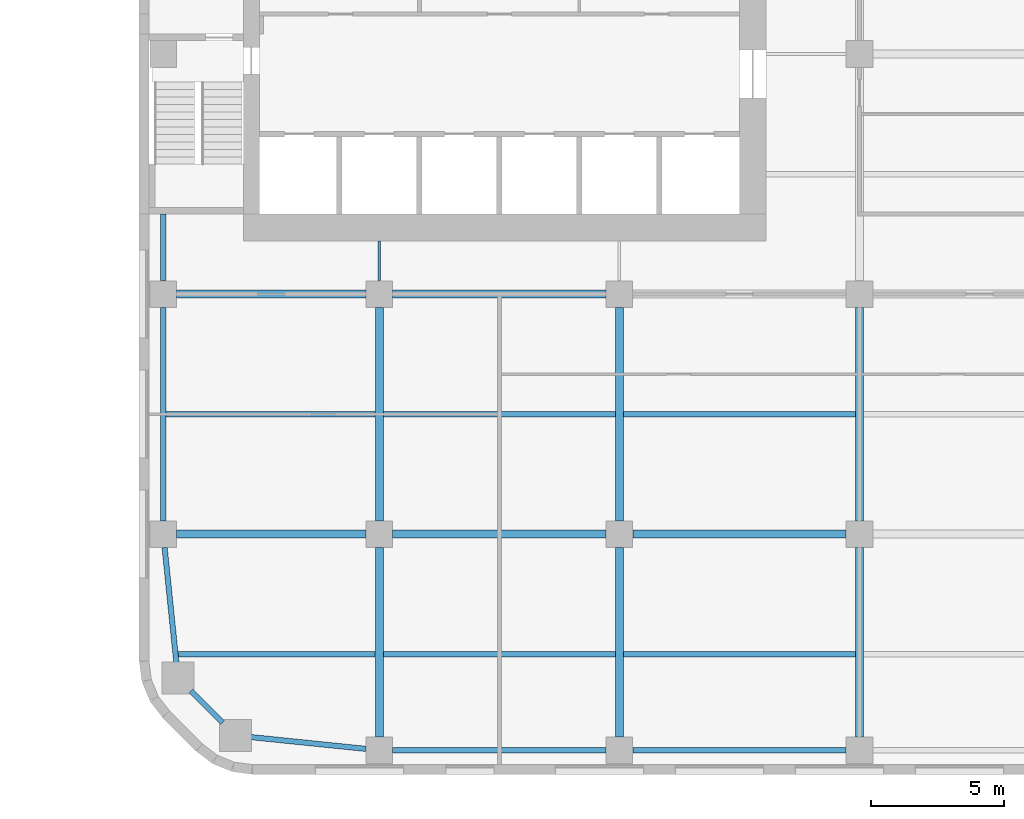
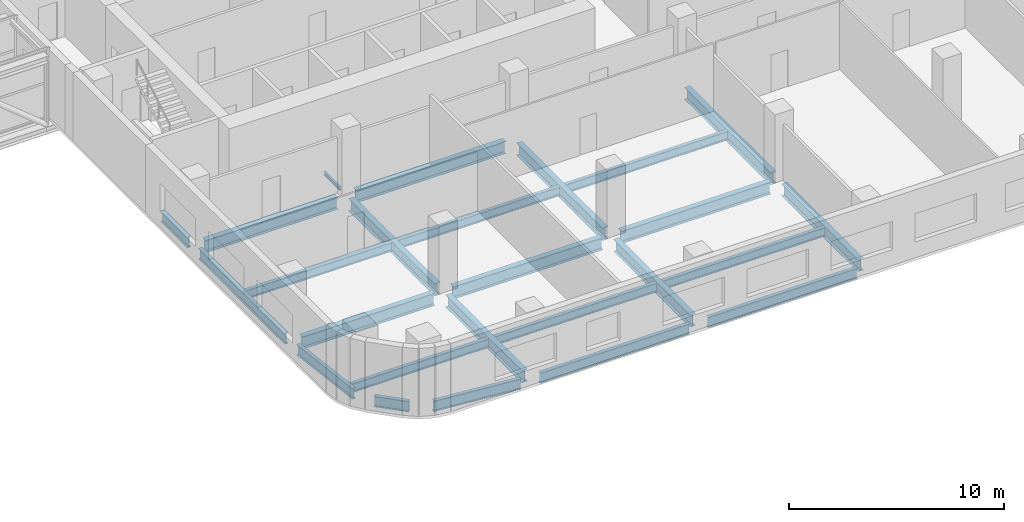
# One storey, part 9 of 24: 25 beams.
"""IFC4 building model written with IfcOpenShell, lengths in metres."""

import ifcopenshell
import ifcopenshell.guid

model = None  # the IFC model being written
_history = None  # IfcOwnerHistory: only IFC2X3 demands one
_inside = {}  # id of a spatial element -> (the spatial element, [elements in it])
_under = {}  # id of a project, library or spatial element -> (it, [spatial elements below it])
_declared = {}  # id of a project -> (the project, [libraries it declares])
_typed = {}  # id of a type object -> (the type object, [elements of that type])
_made_of = {}  # id of a material, layer set ... -> (it, [elements and type objects made of it])


def new_model(schema):
    """Start an empty IFC model of exactly this schema.

    Asked for "IFC4X3", IfcOpenShell would pick the latest addendum, in which some entities
    have other attributes; the version numbers below select the first issue.
    IFC2X3 requires an IfcOwnerHistory on every rooted entity: one is made here for all.
    """
    global model, _history
    if schema == "IFC4X3":
        model = ifcopenshell.file(schema_version=(4, 3, 0, 0))
    else:
        model = ifcopenshell.file(schema=schema)
    _inside.clear()
    _under.clear()
    _declared.clear()
    _typed.clear()
    _made_of.clear()
    _history = None
    if model.schema == "IFC2X3":
        org = make("IfcOrganization", Name="unknown")
        user = make(
            "IfcPersonAndOrganization",
            ThePerson=make("IfcPerson", FamilyName="unknown"),
            TheOrganization=org,
        )
        app = make(
            "IfcApplication",
            ApplicationDeveloper=org,
            Version="unknown",
            ApplicationFullName="unknown",
            ApplicationIdentifier="unknown",
        )
        _history = make(
            "IfcOwnerHistory",
            OwningUser=user,
            OwningApplication=app,
            ChangeAction="ADDED",
            CreationDate=0,
        )
    return model


def make(cls, **values):
    """One entity of the class cls with the attributes given. An attribute that is None is left unset."""
    return model.create_entity(
        cls, **{name: value for name, value in values.items() if value is not None}
    )


def rooted(cls, **values):
    """An entity with a GlobalId (a new one), such as an element, a storey or a relation."""
    return make(cls, GlobalId=ifcopenshell.guid.new(), OwnerHistory=_history, **values)


def si_unit(unit_type, name, prefix=None):
    """IfcSIUnit, for example si_unit("LENGTHUNIT", "METRE", prefix="MILLI")."""
    return make("IfcSIUnit", UnitType=unit_type, Prefix=prefix, Name=name)


def assignment(units):
    """IfcUnitAssignment: the units of a project."""
    return None if units is None else make("IfcUnitAssignment", Units=units)


def point(xyz):
    """IfcCartesianPoint."""
    return None if xyz is None else make("IfcCartesianPoint", Coordinates=xyz)


def direction(xyz):
    """IfcDirection."""
    return None if xyz is None else make("IfcDirection", DirectionRatios=xyz)


def frame(location, z_axis=None, x_axis=None):
    """IfcAxis2Placement3D, a coordinate frame: its origin and axes. An axis left out is left unset."""
    return make(
        "IfcAxis2Placement3D",
        Location=point(location),
        Axis=direction(z_axis),
        RefDirection=direction(x_axis),
    )


def frame_2d(location, x_axis=None):
    """IfcAxis2Placement2D, a coordinate frame in the plane: its origin and x axis."""
    return make(
        "IfcAxis2Placement2D", Location=point(location), RefDirection=direction(x_axis)
    )


def origin():
    """The frame at (0, 0, 0) with its axes left unset."""
    return frame((0.0, 0.0, 0.0))


def origin_2d():
    """The frame at (0, 0) in the plane with its x axis left unset."""
    return frame_2d((0.0, 0.0))


def place(relative_to, where):
    """IfcLocalPlacement: puts the frame where relative to a parent placement (None: the world)."""
    return make(
        "IfcLocalPlacement", PlacementRelTo=relative_to, RelativePlacement=where
    )


def context(
    kind, dimensions, precision=None, world=None, true_north=None, identifier=None
):
    """IfcGeometricRepresentationContext, for example the 3D "Model" context."""
    return make(
        "IfcGeometricRepresentationContext",
        ContextIdentifier=identifier,
        ContextType=kind,
        CoordinateSpaceDimension=dimensions,
        Precision=precision,
        WorldCoordinateSystem=world,
        TrueNorth=true_north,
    )


def subcontext(parent, identifier, kind, view, scale=None):
    """IfcGeometricRepresentationSubContext, for example "Body" below "Model"."""
    return make(
        "IfcGeometricRepresentationSubContext",
        ContextIdentifier=identifier,
        ContextType=kind,
        ParentContext=parent,
        TargetScale=scale,
        TargetView=view,
    )


def project(units=None, contexts=None):
    """IfcProject with its units and contexts."""
    return rooted(
        "IfcProject",
        Name="project",
        RepresentationContexts=contexts,
        UnitsInContext=assignment(units),
    )


def spatial(cls, under=None, at=None, **own):
    """A site, building, storey or space (cls), placed at a placement, below another one or the project."""
    s = rooted(cls, ObjectPlacement=at, **own)
    if under is not None:
        _under.setdefault(under.id(), (under, []))[1].append(s)
    return s


def profile(cls, at=None, kind="AREA", **sizes):
    """A parametric profile (cls). Its sizes go by their IFC names, for example OverallWidth=200.0."""
    return make(cls, ProfileType=kind, Position=at, **sizes)


def i_section(**sizes):
    """IfcIShapeProfileDef."""
    return profile("IfcIShapeProfileDef", **sizes)


def extrude(swept, where, along, depth):
    """IfcExtrudedAreaSolid: the profile swept, set in the frame where, extruded along a direction by depth."""
    return make(
        "IfcExtrudedAreaSolid",
        SweptArea=swept,
        Position=where,
        ExtrudedDirection=direction(along),
        Depth=depth,
    )


def shape(context_of_items, identifier, shape_type, items):
    """IfcShapeRepresentation: the items that make up one representation, for example the "Body"."""
    return make(
        "IfcShapeRepresentation",
        ContextOfItems=context_of_items,
        RepresentationIdentifier=identifier,
        RepresentationType=shape_type,
        Items=items,
    )


def material(Name=None, Category=None):
    """IfcMaterial."""
    return make("IfcMaterial", Name=Name, Category=Category)


def material_profile(
    of_material, cross_section, Name=None, Category=None, Priority=None
):
    """IfcMaterialProfile: a cross section and its material."""
    return make(
        "IfcMaterialProfile",
        Name=Name,
        Material=of_material,
        Profile=cross_section,
        Priority=Priority,
        Category=Category,
    )


def profile_set(profiles, Name=None, composite=None):
    """IfcMaterialProfileSet."""
    return make(
        "IfcMaterialProfileSet",
        Name=Name,
        MaterialProfiles=profiles,
        CompositeProfile=composite,
    )


def made_of(thing, what):
    """Note that an element or type object is made of a material, layer set ...; save() writes the relation."""
    if what is not None:
        _made_of.setdefault(what.id(), (what, []))[1].append(thing)
    return thing


def type_object(cls, material=None, **own):
    """A type object (cls), such as IfcWallType, which elements share."""
    return made_of(rooted(cls, **own), material)


def element(
    cls,
    number,
    at=None,
    inside=None,
    cuts=None,
    type_object=None,
    material=None,
    context=None,
    identifier="Body",
    shape_type=None,
    held_by="IfcProductDefinitionShape",
    body=None,
    shapes=None,
    **own,
):
    """One element of the class cls, such as IfcWall. Its Tag is "e" and its number.

    at: its placement. inside: the storey or other place that contains it. cuts: it is an
    opening in that element (IfcRelVoidsElement). A single representation is given by context,
    identifier, shape_type and body (its items); several are given by shapes. held_by: the class
    of the entity that holds the representations. save() writes the other relations.
    """
    e = rooted(cls, Tag="e%d" % number, ObjectPlacement=at, **own)
    if body is not None:
        shapes = [shape(context, identifier, shape_type, body)]
    if shapes is not None:
        e.Representation = make(held_by, Representations=shapes)
    if inside is not None:
        _inside.setdefault(inside.id(), (inside, []))[1].append(e)
    if cuts is not None:
        rooted(
            "IfcRelVoidsElement", RelatingBuildingElement=cuts, RelatedOpeningElement=e
        )
    if type_object is not None:
        _typed.setdefault(type_object.id(), (type_object, []))[1].append(e)
    return made_of(e, material)


def aggregate(whole, parts):
    """IfcRelAggregates: a whole, such as a stair, and the parts it consists of."""
    return rooted("IfcRelAggregates", RelatingObject=whole, RelatedObjects=parts)


def save(model, path):
    """Write the relations noted so far, then the file.

    IfcRelAggregates (storeys below a building ...), IfcRelContainedInSpatialStructure (elements
    in a storey), IfcRelDefinesByType, IfcRelAssociatesMaterial and IfcRelDeclares: one each for
    every whole, place, type object, material and project.
    """
    for whole, parts in _under.values():
        aggregate(whole, parts)
    for where, things in _inside.values():
        rooted(
            "IfcRelContainedInSpatialStructure",
            RelatedElements=things,
            RelatingStructure=where,
        )
    for kind, things in _typed.values():
        rooted("IfcRelDefinesByType", RelatedObjects=things, RelatingType=kind)
    for what, things in _made_of.values():
        rooted("IfcRelAssociatesMaterial", RelatedObjects=things, RelatingMaterial=what)
    for by, libraries in _declared.values():
        rooted("IfcRelDeclares", RelatingContext=by, RelatedDefinitions=libraries)
    model.write(path)


model = new_model("IFC4")

# Units and contexts
model_context = context("Model", 3, precision=1e-05, world=origin(), true_north=direction((0.0, 1.0)))
body_context = subcontext(model_context, "Body", "Model", "MODEL_VIEW")
ifc_project = project(units=[si_unit("LENGTHUNIT", "METRE"), si_unit("AREAUNIT", "SQUARE_METRE"), si_unit("VOLUMEUNIT", "CUBIC_METRE"), si_unit("PLANEANGLEUNIT", "RADIAN"), si_unit("MASSUNIT", "GRAM", prefix="KILO")], contexts=[model_context])

# Site, building, storey
site_placement = place(None, origin())
site = spatial("IfcSite", under=ifc_project, at=site_placement, CompositionType="ELEMENT")
building_placement = place(site_placement, origin())
building = spatial("IfcBuilding", under=site, at=building_placement, Name="Cinnabar Reach Civic Tower", CompositionType="ELEMENT")
storey_placement = place(building_placement, frame((0.0, 0.0, 71.0)))
storey = spatial("IfcBuildingStorey", under=building, at=storey_placement, Name="L16", CompositionType="ELEMENT", Elevation=71.0)

# Beams
ifc_material = material(Name="Steel Q355B", Category="steel")
ifc_material_profile_1 = material_profile(ifc_material, i_section(OverallWidth=0.099, OverallDepth=0.198, WebThickness=0.0045, FlangeThickness=0.007, FilletRadius=0.013, at=origin_2d()), Name="HN200x100x5.5x8")
ifc_profile_set_1 = profile_set([ifc_material_profile_1], Name="Steel Q355B")
beam_type_1 = type_object("IfcBeamType", Name="HN200x100x5.5x8 beam R 180", PredefinedType="BEAM", material=ifc_profile_set_1)
beam_1_placement = place(storey_placement, frame((9.0, 18.502, -0.249), z_axis=(0.0, 1.0, 0.0), x_axis=(-1.0, 0.0, 0.0)))
element("IfcBeam", 1, at=beam_1_placement, inside=storey, type_object=beam_type_1, Name="Girder T1 L16 3", PredefinedType="BEAM", context=body_context, shape_type="SweptSolid", body=[
    extrude(i_section(OverallWidth=0.099, OverallDepth=0.198, WebThickness=0.0045, FlangeThickness=0.007, FilletRadius=0.013, at=origin_2d()), origin(), (0.0, 0.0, 1.0), 1.496),
])
ifc_material_profile_2 = material_profile(ifc_material, i_section(OverallWidth=0.2, OverallDepth=0.5, WebThickness=0.01, FlangeThickness=0.016, FilletRadius=0.016, at=origin_2d()), Name="HN500x200x10x16")
ifc_profile_set_2 = profile_set([ifc_material_profile_2], Name="Steel Q355B")
beam_type_2 = type_object("IfcBeamType", Name="HN500x200x10x16 beam R 180", PredefinedType="BEAM", material=ifc_profile_set_2)
beam_2_placement = place(storey_placement, frame((1.4636, 4.5, -0.4), z_axis=(1.0, 0.0, 0.0), x_axis=(0.0, 1.0, 0.0)))
element("IfcBeam", 2, at=beam_2_placement, inside=storey, type_object=beam_type_2, Name="Secondary beam T1 L16 1", PredefinedType="BEAM", context=body_context, shape_type="SweptSolid", body=[
    extrude(i_section(OverallWidth=0.2, OverallDepth=0.5, WebThickness=0.01, FlangeThickness=0.016, FilletRadius=0.016, at=origin_2d()), origin(), (0.0, 0.0, 1.0), 7.3844),
])
for number, where, z_axis, x_axis, name in (
    (3, (9.152, 4.5, -0.4), (1.0, 0.0, 0.0), (0.0, 1.0, 0.0), "Secondary beam T1 L16 2"),
    (4, (18.152, 4.5, -0.4), (1.0, 0.0, 0.0), (0.0, 1.0, 0.0), "Secondary beam T1 L16 3"),
):
    element("IfcBeam", number, at=place(storey_placement, frame(where, z_axis=z_axis, x_axis=x_axis)), inside=storey, type_object=beam_type_2, Name=name, PredefinedType="BEAM", context=body_context, shape_type="SweptSolid", body=[
        extrude(i_section(OverallWidth=0.2, OverallDepth=0.5, WebThickness=0.01, FlangeThickness=0.016, FilletRadius=0.016, at=origin_2d()), origin(), (0.0, 0.0, 1.0), 8.696),
    ])
beam_3_placement = place(storey_placement, frame((1.002, 13.5, -0.4), z_axis=(1.0, 0.0, 0.0), x_axis=(0.0, 1.0, 0.0)))
element("IfcBeam", 5, at=beam_3_placement, inside=storey, type_object=beam_type_2, Name="Secondary beam T1 L16 7", PredefinedType="BEAM", context=body_context, shape_type="SweptSolid", body=[
    extrude(i_section(OverallWidth=0.2, OverallDepth=0.5, WebThickness=0.01, FlangeThickness=0.016, FilletRadius=0.016, at=origin_2d()), origin(), (0.0, 0.0, 1.0), 7.846),
])
for number, where, z_axis, x_axis, name in (
    (6, (9.152, 13.5, -0.4), (1.0, 0.0, 0.0), (0.0, 1.0, 0.0), "Secondary beam T1 L16 8"),
    (7, (18.152, 13.5, -0.4), (1.0, 0.0, 0.0), (0.0, 1.0, 0.0), "Secondary beam T1 L16 9"),
):
    element("IfcBeam", number, at=place(storey_placement, frame(where, z_axis=z_axis, x_axis=x_axis)), inside=storey, type_object=beam_type_2, Name=name, PredefinedType="BEAM", context=body_context, shape_type="SweptSolid", body=[
        extrude(i_section(OverallWidth=0.2, OverallDepth=0.5, WebThickness=0.01, FlangeThickness=0.016, FilletRadius=0.016, at=origin_2d()), origin(), (0.0, 0.0, 1.0), 8.696),
    ])
ifc_material_profile_3 = material_profile(ifc_material, i_section(OverallWidth=0.2, OverallDepth=0.6, WebThickness=0.011, FlangeThickness=0.017, FilletRadius=0.016, at=origin_2d()), Name="HN600x200x11x17")
ifc_profile_set_3 = profile_set([ifc_material_profile_3], Name="Steel Q355B")
beam_type_3 = type_object("IfcBeamType", Name="HN600x200x11x17 beam R 180", PredefinedType="BEAM", material=ifc_profile_set_3)
beam_4_placement = place(storey_placement, frame((4.0839, 1.4037, -0.45), z_axis=(0.994791228755, -0.101933366432, 0.0), x_axis=(0.101933366432, 0.994791228755, 0.0)))
element("IfcBeam", 8, at=beam_4_placement, inside=storey, type_object=beam_type_3, Name="Edge beam T1 L16 1", PredefinedType="BEAM", context=body_context, shape_type="SweptSolid", body=[
    extrude(i_section(OverallWidth=0.2, OverallDepth=0.6, WebThickness=0.011, FlangeThickness=0.017, FilletRadius=0.016, at=origin_2d()), origin(), (0.0, 0.0, 1.0), 4.4372),
])
for number, where, z_axis, x_axis, name in (
    (9, (9.502, 0.9, -0.45), (1.0, 0.0, 0.0), (0.0, 1.0, 0.0), "Edge beam T1 L16 2"),
    (10, (18.502, 0.9, -0.45), (1.0, 0.0, 0.0), (0.0, 1.0, 0.0), "Edge beam T1 L16 3"),
):
    element("IfcBeam", number, at=place(storey_placement, frame(where, z_axis=z_axis, x_axis=x_axis)), inside=storey, type_object=beam_type_3, Name=name, PredefinedType="BEAM", context=body_context, shape_type="SweptSolid", body=[
        extrude(i_section(OverallWidth=0.2, OverallDepth=0.6, WebThickness=0.011, FlangeThickness=0.017, FilletRadius=0.016, at=origin_2d()), origin(), (0.0, 0.0, 1.0), 7.996),
    ])
beam_5_placement = place(storey_placement, frame((0.9, 20.998, -0.45), z_axis=(0.0, -1.0, 0.0), x_axis=(1.0, 0.0, 0.0)))
element("IfcBeam", 11, at=beam_5_placement, inside=storey, type_object=beam_type_3, Name="Edge beam T1 L16 20", PredefinedType="BEAM", context=body_context, shape_type="SweptSolid", body=[
    extrude(i_section(OverallWidth=0.2, OverallDepth=0.6, WebThickness=0.011, FlangeThickness=0.017, FilletRadius=0.016, at=origin_2d()), origin(), (0.0, 0.0, 1.0), 2.496),
])
beam_6_placement = place(storey_placement, frame((0.9, 17.498, -0.45), z_axis=(0.0, -1.0, 0.0), x_axis=(1.0, 0.0, 0.0)))
element("IfcBeam", 12, at=beam_6_placement, inside=storey, type_object=beam_type_3, Name="Edge beam T1 L16 21", PredefinedType="BEAM", context=body_context, shape_type="SweptSolid", body=[
    extrude(i_section(OverallWidth=0.2, OverallDepth=0.6, WebThickness=0.011, FlangeThickness=0.017, FilletRadius=0.016, at=origin_2d()), origin(), (0.0, 0.0, 1.0), 7.996),
])
beam_7_placement = place(storey_placement, frame((0.9514, 8.498, -0.45), z_axis=(0.101933366432, -0.994791228755, 0.0), x_axis=(0.994791228755, 0.101933366432, 0.0)))
element("IfcBeam", 13, at=beam_7_placement, inside=storey, type_object=beam_type_3, Name="Edge beam T1 L16 22", PredefinedType="BEAM", context=body_context, shape_type="SweptSolid", body=[
    extrude(i_section(OverallWidth=0.2, OverallDepth=0.6, WebThickness=0.011, FlangeThickness=0.017, FilletRadius=0.016, at=origin_2d()), origin(), (0.0, 0.0, 1.0), 4.4372),
])
beam_8_placement = place(storey_placement, frame((1.9351, 3.1199, -0.45), z_axis=(0.707106781187, -0.707106781187, 0.0), x_axis=(0.707106781187, 0.707106781187, 0.0)))
element("IfcBeam", 14, at=beam_8_placement, inside=storey, type_object=beam_type_3, Name="Edge beam T1 L16 23", PredefinedType="BEAM", context=body_context, shape_type="SweptSolid", body=[
    extrude(i_section(OverallWidth=0.2, OverallDepth=0.6, WebThickness=0.011, FlangeThickness=0.017, FilletRadius=0.016, at=origin_2d()), origin(), (0.0, 0.0, 1.0), 1.6756),
])
ifc_material_profile_4 = material_profile(ifc_material, i_section(OverallWidth=0.3, OverallDepth=0.692, WebThickness=0.013, FlangeThickness=0.02, FilletRadius=0.016, at=origin_2d()), Name="HN692x300x13x20")
ifc_profile_set_4 = profile_set([ifc_material_profile_4], Name="Steel Q355B")
beam_type_4 = type_object("IfcBeamType", Name="HN692x300x13x20 beam R 180", PredefinedType="BEAM", material=ifc_profile_set_4)
beam_9_placement = place(storey_placement, frame((9.0, 1.402, -0.496), z_axis=(0.0, 1.0, 0.0), x_axis=(-1.0, 0.0, 0.0)))
element("IfcBeam", 15, at=beam_9_placement, inside=storey, type_object=beam_type_4, Name="Girder T1 L16 1", PredefinedType="BEAM", context=body_context, shape_type="SweptSolid", body=[
    extrude(i_section(OverallWidth=0.3, OverallDepth=0.692, WebThickness=0.013, FlangeThickness=0.02, FilletRadius=0.016, at=origin_2d()), origin(), (0.0, 0.0, 1.0), 7.096),
])
beam_10_placement = place(storey_placement, frame((9.0, 9.502, -0.496), z_axis=(0.0, 1.0, 0.0), x_axis=(-1.0, 0.0, 0.0)))
element("IfcBeam", 16, at=beam_10_placement, inside=storey, type_object=beam_type_4, Name="Girder T1 L16 2", PredefinedType="BEAM", context=body_context, shape_type="SweptSolid", body=[
    extrude(i_section(OverallWidth=0.3, OverallDepth=0.692, WebThickness=0.013, FlangeThickness=0.02, FilletRadius=0.016, at=origin_2d()), origin(), (0.0, 0.0, 1.0), 7.996),
])
beam_11_placement = place(storey_placement, frame((18.0, 1.402, -0.496), z_axis=(0.0, 1.0, 0.0), x_axis=(-1.0, 0.0, 0.0)))
element("IfcBeam", 17, at=beam_11_placement, inside=storey, type_object=beam_type_4, Name="Girder T1 L16 4", PredefinedType="BEAM", context=body_context, shape_type="SweptSolid", body=[
    extrude(i_section(OverallWidth=0.3, OverallDepth=0.692, WebThickness=0.013, FlangeThickness=0.02, FilletRadius=0.016, at=origin_2d()), origin(), (0.0, 0.0, 1.0), 7.096),
])
beam_12_placement = place(storey_placement, frame((18.0, 9.502, -0.496), z_axis=(0.0, 1.0, 0.0), x_axis=(-1.0, 0.0, 0.0)))
element("IfcBeam", 18, at=beam_12_placement, inside=storey, type_object=beam_type_4, Name="Girder T1 L16 5", PredefinedType="BEAM", context=body_context, shape_type="SweptSolid", body=[
    extrude(i_section(OverallWidth=0.3, OverallDepth=0.692, WebThickness=0.013, FlangeThickness=0.02, FilletRadius=0.016, at=origin_2d()), origin(), (0.0, 0.0, 1.0), 7.996),
])
beam_13_placement = place(storey_placement, frame((27.0, 1.402, -0.496), z_axis=(0.0, 1.0, 0.0), x_axis=(-1.0, 0.0, 0.0)))
element("IfcBeam", 19, at=beam_13_placement, inside=storey, type_object=beam_type_4, Name="Girder T1 L16 7", PredefinedType="BEAM", context=body_context, shape_type="SweptSolid", body=[
    extrude(i_section(OverallWidth=0.3, OverallDepth=0.692, WebThickness=0.013, FlangeThickness=0.02, FilletRadius=0.016, at=origin_2d()), origin(), (0.0, 0.0, 1.0), 7.096),
])
beam_14_placement = place(storey_placement, frame((27.0, 9.502, -0.496), z_axis=(0.0, 1.0, 0.0), x_axis=(-1.0, 0.0, 0.0)))
element("IfcBeam", 20, at=beam_14_placement, inside=storey, type_object=beam_type_4, Name="Girder T1 L16 8", PredefinedType="BEAM", context=body_context, shape_type="SweptSolid", body=[
    extrude(i_section(OverallWidth=0.3, OverallDepth=0.692, WebThickness=0.013, FlangeThickness=0.02, FilletRadius=0.016, at=origin_2d()), origin(), (0.0, 0.0, 1.0), 7.996),
])
ifc_material_profile_5 = material_profile(ifc_material, i_section(OverallWidth=0.3, OverallDepth=0.7, WebThickness=0.013, FlangeThickness=0.024, FilletRadius=0.02, at=origin_2d()), Name="HN700x300x13x24")
ifc_profile_set_5 = profile_set([ifc_material_profile_5], Name="Steel Q355B")
beam_type_5 = type_object("IfcBeamType", Name="HN700x300x13x24 beam R 180", PredefinedType="BEAM", material=ifc_profile_set_5)
beam_15_placement = place(storey_placement, frame((1.402, 9.0, -0.5), z_axis=(1.0, 0.0, 0.0), x_axis=(0.0, 1.0, 0.0)))
element("IfcBeam", 21, at=beam_15_placement, inside=storey, type_object=beam_type_5, Name="Girder T1 L16 1", PredefinedType="BEAM", context=body_context, shape_type="SweptSolid", body=[
    extrude(i_section(OverallWidth=0.3, OverallDepth=0.7, WebThickness=0.013, FlangeThickness=0.024, FilletRadius=0.02, at=origin_2d()), origin(), (0.0, 0.0, 1.0), 7.096),
])
for number, where, z_axis, x_axis, name in (
    (22, (9.502, 9.0, -0.5), (1.0, 0.0, 0.0), (0.0, 1.0, 0.0), "Girder T1 L16 2"),
    (23, (18.502, 9.0, -0.5), (1.0, 0.0, 0.0), (0.0, 1.0, 0.0), "Girder T1 L16 3"),
):
    element("IfcBeam", number, at=place(storey_placement, frame(where, z_axis=z_axis, x_axis=x_axis)), inside=storey, type_object=beam_type_5, Name=name, PredefinedType="BEAM", context=body_context, shape_type="SweptSolid", body=[
        extrude(i_section(OverallWidth=0.3, OverallDepth=0.7, WebThickness=0.013, FlangeThickness=0.024, FilletRadius=0.02, at=origin_2d()), origin(), (0.0, 0.0, 1.0), 7.996),
    ])
beam_16_placement = place(storey_placement, frame((1.402, 18.0, -0.5), z_axis=(1.0, 0.0, 0.0), x_axis=(0.0, 1.0, 0.0)))
element("IfcBeam", 24, at=beam_16_placement, inside=storey, type_object=beam_type_5, Name="Girder T1 L16 8", PredefinedType="BEAM", context=body_context, shape_type="SweptSolid", body=[
    extrude(i_section(OverallWidth=0.3, OverallDepth=0.7, WebThickness=0.013, FlangeThickness=0.024, FilletRadius=0.02, at=origin_2d()), origin(), (0.0, 0.0, 1.0), 7.096),
])
beam_17_placement = place(storey_placement, frame((9.502, 18.0, -0.5), z_axis=(1.0, 0.0, 0.0), x_axis=(0.0, 1.0, 0.0)))
element("IfcBeam", 25, at=beam_17_placement, inside=storey, type_object=beam_type_5, Name="Girder T1 L16 9", PredefinedType="BEAM", context=body_context, shape_type="SweptSolid", body=[
    extrude(i_section(OverallWidth=0.3, OverallDepth=0.7, WebThickness=0.013, FlangeThickness=0.024, FilletRadius=0.02, at=origin_2d()), origin(), (0.0, 0.0, 1.0), 7.996),
])

save(model, "model.ifc")
